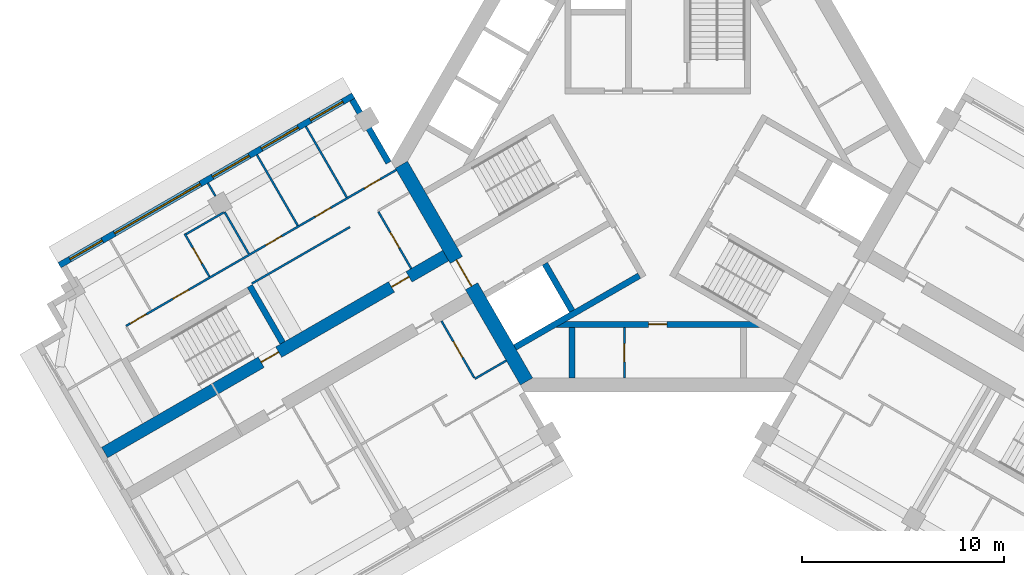
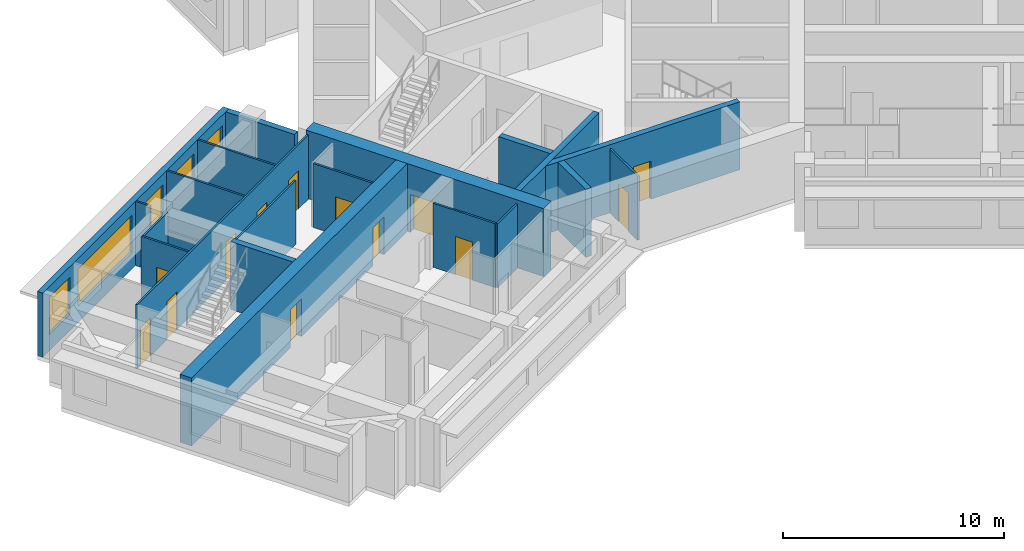
# One storey, part 3 of 10: 21 walls, 13 doors, 5 windows, 18 openings.
"""IFC4 building model written with IfcOpenShell, lengths in metres."""

import ifcopenshell
import ifcopenshell.guid

model = None  # the IFC model being written
_history = None  # IfcOwnerHistory: only IFC2X3 demands one
_inside = {}  # id of a spatial element -> (the spatial element, [elements in it])
_under = {}  # id of a project, library or spatial element -> (it, [spatial elements below it])
_declared = {}  # id of a project -> (the project, [libraries it declares])
_typed = {}  # id of a type object -> (the type object, [elements of that type])
_made_of = {}  # id of a material, layer set ... -> (it, [elements and type objects made of it])


def new_model(schema):
    """Start an empty IFC model of exactly this schema.

    Asked for "IFC4X3", IfcOpenShell would pick the latest addendum, in which some entities
    have other attributes; the version numbers below select the first issue.
    IFC2X3 requires an IfcOwnerHistory on every rooted entity: one is made here for all.
    """
    global model, _history
    if schema == "IFC4X3":
        model = ifcopenshell.file(schema_version=(4, 3, 0, 0))
    else:
        model = ifcopenshell.file(schema=schema)
    _inside.clear()
    _under.clear()
    _declared.clear()
    _typed.clear()
    _made_of.clear()
    _history = None
    if model.schema == "IFC2X3":
        org = make("IfcOrganization", Name="unknown")
        user = make(
            "IfcPersonAndOrganization",
            ThePerson=make("IfcPerson", FamilyName="unknown"),
            TheOrganization=org,
        )
        app = make(
            "IfcApplication",
            ApplicationDeveloper=org,
            Version="unknown",
            ApplicationFullName="unknown",
            ApplicationIdentifier="unknown",
        )
        _history = make(
            "IfcOwnerHistory",
            OwningUser=user,
            OwningApplication=app,
            ChangeAction="ADDED",
            CreationDate=0,
        )
    return model


def make(cls, **values):
    """One entity of the class cls with the attributes given. An attribute that is None is left unset."""
    return model.create_entity(
        cls, **{name: value for name, value in values.items() if value is not None}
    )


def rooted(cls, **values):
    """An entity with a GlobalId (a new one), such as an element, a storey or a relation."""
    return make(cls, GlobalId=ifcopenshell.guid.new(), OwnerHistory=_history, **values)


def si_unit(unit_type, name, prefix=None):
    """IfcSIUnit, for example si_unit("LENGTHUNIT", "METRE", prefix="MILLI")."""
    return make("IfcSIUnit", UnitType=unit_type, Prefix=prefix, Name=name)


def assignment(units):
    """IfcUnitAssignment: the units of a project."""
    return None if units is None else make("IfcUnitAssignment", Units=units)


def point(xyz):
    """IfcCartesianPoint."""
    return None if xyz is None else make("IfcCartesianPoint", Coordinates=xyz)


def direction(xyz):
    """IfcDirection."""
    return None if xyz is None else make("IfcDirection", DirectionRatios=xyz)


def frame(location, z_axis=None, x_axis=None):
    """IfcAxis2Placement3D, a coordinate frame: its origin and axes. An axis left out is left unset."""
    return make(
        "IfcAxis2Placement3D",
        Location=point(location),
        Axis=direction(z_axis),
        RefDirection=direction(x_axis),
    )


def frame_2d(location, x_axis=None):
    """IfcAxis2Placement2D, a coordinate frame in the plane: its origin and x axis."""
    return make(
        "IfcAxis2Placement2D", Location=point(location), RefDirection=direction(x_axis)
    )


def origin():
    """The frame at (0, 0, 0) with its axes left unset."""
    return frame((0.0, 0.0, 0.0))


def place(relative_to, where):
    """IfcLocalPlacement: puts the frame where relative to a parent placement (None: the world)."""
    return make(
        "IfcLocalPlacement", PlacementRelTo=relative_to, RelativePlacement=where
    )


def context(
    kind, dimensions, precision=None, world=None, true_north=None, identifier=None
):
    """IfcGeometricRepresentationContext, for example the 3D "Model" context."""
    return make(
        "IfcGeometricRepresentationContext",
        ContextIdentifier=identifier,
        ContextType=kind,
        CoordinateSpaceDimension=dimensions,
        Precision=precision,
        WorldCoordinateSystem=world,
        TrueNorth=true_north,
    )


def subcontext(parent, identifier, kind, view, scale=None):
    """IfcGeometricRepresentationSubContext, for example "Body" below "Model"."""
    return make(
        "IfcGeometricRepresentationSubContext",
        ContextIdentifier=identifier,
        ContextType=kind,
        ParentContext=parent,
        TargetScale=scale,
        TargetView=view,
    )


def project(units=None, contexts=None):
    """IfcProject with its units and contexts."""
    return rooted(
        "IfcProject",
        Name="project",
        RepresentationContexts=contexts,
        UnitsInContext=assignment(units),
    )


def spatial(cls, under=None, at=None, **own):
    """A site, building, storey or space (cls), placed at a placement, below another one or the project."""
    s = rooted(cls, ObjectPlacement=at, **own)
    if under is not None:
        _under.setdefault(under.id(), (under, []))[1].append(s)
    return s


def profile(cls, at=None, kind="AREA", **sizes):
    """A parametric profile (cls). Its sizes go by their IFC names, for example OverallWidth=200.0."""
    return make(cls, ProfileType=kind, Position=at, **sizes)


def rectangle(**sizes):
    """IfcRectangleProfileDef."""
    return profile("IfcRectangleProfileDef", **sizes)


def extrude(swept, where, along, depth):
    """IfcExtrudedAreaSolid: the profile swept, set in the frame where, extruded along a direction by depth."""
    return make(
        "IfcExtrudedAreaSolid",
        SweptArea=swept,
        Position=where,
        ExtrudedDirection=direction(along),
        Depth=depth,
    )


def shape(context_of_items, identifier, shape_type, items):
    """IfcShapeRepresentation: the items that make up one representation, for example the "Body"."""
    return make(
        "IfcShapeRepresentation",
        ContextOfItems=context_of_items,
        RepresentationIdentifier=identifier,
        RepresentationType=shape_type,
        Items=items,
    )


def material(Name=None, Category=None):
    """IfcMaterial."""
    return make("IfcMaterial", Name=Name, Category=Category)


def layer(
    of_material, thickness, ventilated=None, Name=None, Category=None, Priority=None
):
    """IfcMaterialLayer: one layer of a wall or slab, of a material (None: an air gap)."""
    return make(
        "IfcMaterialLayer",
        Material=of_material,
        LayerThickness=thickness,
        IsVentilated=ventilated,
        Name=Name,
        Category=Category,
        Priority=Priority,
    )


def layer_set(layers, Name=None):
    """IfcMaterialLayerSet."""
    return make("IfcMaterialLayerSet", MaterialLayers=layers, LayerSetName=Name)


def made_of(thing, what):
    """Note that an element or type object is made of a material, layer set ...; save() writes the relation."""
    if what is not None:
        _made_of.setdefault(what.id(), (what, []))[1].append(thing)
    return thing


def type_object(cls, material=None, **own):
    """A type object (cls), such as IfcWallType, which elements share."""
    return made_of(rooted(cls, **own), material)


def element(
    cls,
    number,
    at=None,
    inside=None,
    cuts=None,
    type_object=None,
    material=None,
    context=None,
    identifier="Body",
    shape_type=None,
    held_by="IfcProductDefinitionShape",
    body=None,
    shapes=None,
    **own,
):
    """One element of the class cls, such as IfcWall. Its Tag is "e" and its number.

    at: its placement. inside: the storey or other place that contains it. cuts: it is an
    opening in that element (IfcRelVoidsElement). A single representation is given by context,
    identifier, shape_type and body (its items); several are given by shapes. held_by: the class
    of the entity that holds the representations. save() writes the other relations.
    """
    e = rooted(cls, Tag="e%d" % number, ObjectPlacement=at, **own)
    if body is not None:
        shapes = [shape(context, identifier, shape_type, body)]
    if shapes is not None:
        e.Representation = make(held_by, Representations=shapes)
    if inside is not None:
        _inside.setdefault(inside.id(), (inside, []))[1].append(e)
    if cuts is not None:
        rooted(
            "IfcRelVoidsElement", RelatingBuildingElement=cuts, RelatedOpeningElement=e
        )
    if type_object is not None:
        _typed.setdefault(type_object.id(), (type_object, []))[1].append(e)
    return made_of(e, material)


def fill(opening, filler):
    """IfcRelFillsElement: the door or window that sits in an opening."""
    return rooted(
        "IfcRelFillsElement",
        RelatingOpeningElement=opening,
        RelatedBuildingElement=filler,
    )


def aggregate(whole, parts):
    """IfcRelAggregates: a whole, such as a stair, and the parts it consists of."""
    return rooted("IfcRelAggregates", RelatingObject=whole, RelatedObjects=parts)


def save(model, path):
    """Write the relations noted so far, then the file.

    IfcRelAggregates (storeys below a building ...), IfcRelContainedInSpatialStructure (elements
    in a storey), IfcRelDefinesByType, IfcRelAssociatesMaterial and IfcRelDeclares: one each for
    every whole, place, type object, material and project.
    """
    for whole, parts in _under.values():
        aggregate(whole, parts)
    for where, things in _inside.values():
        rooted(
            "IfcRelContainedInSpatialStructure",
            RelatedElements=things,
            RelatingStructure=where,
        )
    for kind, things in _typed.values():
        rooted("IfcRelDefinesByType", RelatedObjects=things, RelatingType=kind)
    for what, things in _made_of.values():
        rooted("IfcRelAssociatesMaterial", RelatedObjects=things, RelatingMaterial=what)
    for by, libraries in _declared.values():
        rooted("IfcRelDeclares", RelatingContext=by, RelatedDefinitions=libraries)
    model.write(path)


model = new_model("IFC4")

# Units and contexts
model_context = context("Model", 3, precision=1e-05, world=origin(), true_north=direction((0.0, 1.0)))
body_context = subcontext(model_context, "Body", "Model", "MODEL_VIEW")
ifc_project = project(units=[si_unit("LENGTHUNIT", "METRE"), si_unit("AREAUNIT", "SQUARE_METRE"), si_unit("VOLUMEUNIT", "CUBIC_METRE"), si_unit("PLANEANGLEUNIT", "RADIAN"), si_unit("MASSUNIT", "GRAM", prefix="KILO")], contexts=[model_context])

# Site, building, storey
site_placement = place(None, origin())
site = spatial("IfcSite", under=ifc_project, at=site_placement, CompositionType="ELEMENT")
building_placement = place(site_placement, origin())
building = spatial("IfcBuilding", under=site, at=building_placement, Name="Impinga Residences", CompositionType="ELEMENT")
storey_placement = place(building_placement, frame((0.0, 0.0, 222.25)))
storey = spatial("IfcBuildingStorey", under=building, at=storey_placement, Name="L55", CompositionType="ELEMENT", Elevation=222.25)

# Wall, openings, doors
ifc_material_1 = material(Name="Concrete C60/75", Category="concrete")
ifc_layer_1 = layer(ifc_material_1, 0.60009765625)
ifc_layer_set_1 = layer_set([ifc_layer_1], Name="Concrete C60/75")
wall_type_1 = type_object("IfcWallType", Name="BW3 corridor buttress wall, L46 to L73 600", PredefinedType="SHEAR", material=ifc_layer_set_1)
wall_1_placement = place(storey_placement, frame((-10.19677734375, -4.50146484375, 0.0), z_axis=(0.0, 0.0, 1.0), x_axis=(-0.866025214745, -0.500000327426, 0.0)))
wall_1 = element("IfcWall", 1, at=wall_1_placement, inside=storey, type_object=wall_type_1, Name="Corridor wall BW3 WD L55", PredefinedType="SHEAR", context=body_context, shape_type="SweptSolid", body=[
    extrude(rectangle(XDim=19.85009765625, YDim=0.60009765625, at=frame_2d((9.925048828125, 0.0))), origin(), (0.0, 0.0, 1.0), 3.75),
])
opening_1_placement = place(wall_1_placement, frame((9.89990234375, 0.0, 0.0)))
opening_1 = element("IfcOpeningElement", 2, at=opening_1_placement, cuts=wall_1, Name="Opening D5", PredefinedType="OPENING", context=body_context, shape_type="SweptSolid", body=[
    extrude(rectangle(XDim=1.0, YDim=2.10009765625, at=frame_2d((0.5, 1.050048828125))), frame((0.0, 0.31005859375, 0.0), z_axis=(0.0, -1.0, 0.0), x_axis=(1.0, 0.0, 0.0)), (0.0, 0.0, 1.0), 0.6201171875),
])
opening_2_placement = place(wall_1_placement, frame((2.449951171875, 0.0, 0.0)))
opening_2 = element("IfcOpeningElement", 3, at=opening_2_placement, cuts=wall_1, Name="Opening D1", PredefinedType="OPENING", context=body_context, shape_type="SweptSolid", body=[
    extrude(rectangle(XDim=1.0, YDim=2.10009765625, at=frame_2d((0.5, 1.050048828125))), frame((0.0, 0.31005859375, 0.0), z_axis=(0.0, -1.0, 0.0), x_axis=(1.0, 0.0, 0.0)), (0.0, 0.0, 1.0), 0.6201171875),
])
ifc_material_2 = material(Name="Timber door set", Category="wood")
door_type_1 = type_object("IfcDoorType", Name="D1 apartment entrance door 1000x2100", OperationType="SINGLE_SWING_LEFT", PredefinedType="DOOR", material=ifc_material_2)
door_1_placement = place(opening_2_placement, origin())
door_1 = element("IfcDoor", 4, at=door_1_placement, inside=storey, type_object=door_type_1, Name="Apartment L55-WF1 entrance", OperationType="SINGLE_SWING_LEFT", OverallHeight=2.10009765625, OverallWidth=1.0, PredefinedType="DOOR", context=body_context, shape_type="SweptSolid", body=[
    extrude(rectangle(XDim=1.0, YDim=2.10009765625, at=frame_2d((0.5, 1.050048828125))), frame((0.0, 0.02490234375, 0.0), z_axis=(0.0, -1.0, 0.0), x_axis=(1.0, 0.0, 0.0)), (0.0, 0.0, 1.0), 0.050048828125),
])
fill(opening_2, door_1)
door_type_2 = type_object("IfcDoorType", Name="D5 stair door 1000x2100", OperationType="SINGLE_SWING_LEFT", PredefinedType="DOOR", material=ifc_material_2)
door_2_placement = place(opening_1_placement, origin())
door_2 = element("IfcDoor", 5, at=door_2_placement, inside=storey, type_object=door_type_2, Name="Wing stair door W", OperationType="SINGLE_SWING_RIGHT", OverallHeight=2.10009765625, OverallWidth=1.0, PredefinedType="DOOR", context=body_context, shape_type="SweptSolid", body=[
    extrude(rectangle(XDim=1.0, YDim=2.10009765625, at=frame_2d((0.5, 1.050048828125))), frame((0.0, 0.02490234375, 0.0), z_axis=(0.0, -1.0, 0.0), x_axis=(1.0, 0.0, 0.0)), (0.0, 0.0, 1.0), 0.050048828125),
])
fill(opening_1, door_2)

# Wall, opening, door
ifc_material_3 = material(Name="Concrete blockwork", Category="masonry")
ifc_layer_2 = layer(ifc_material_3, 0.10009765625)
ifc_layer_set_2 = layer_set([ifc_layer_2], Name="CP1 core room partition, blockwork 100")
wall_type_2 = type_object("IfcWallType", Name="CP1 core room partition, blockwork 100", PredefinedType="PARTITIONING", material=ifc_layer_set_2)
wall_2_placement = place(storey_placement, frame((-1.64990234375, -8.2314453125, 0.0), z_axis=(0.0, 0.0, 1.0), x_axis=(0.0, -1.0, 0.0)))
wall_2 = element("IfcWall", 6, at=wall_2_placement, inside=storey, type_object=wall_type_2, Name="Core room partition, blockwork L55:CORE:low:ZP1", PredefinedType="PARTITIONING", context=body_context, shape_type="SweptSolid", body=[
    extrude(rectangle(XDim=2.5, YDim=0.10009765625, at=frame_2d((1.25, 0.0))), origin(), (0.0, 0.0, 1.0), 3.530029296875),
])
opening_3_placement = place(wall_2_placement, frame((0.800048828125, 0.0, 0.0)))
opening_3 = element("IfcOpeningElement", 7, at=opening_3_placement, cuts=wall_2, Name="Opening D6", PredefinedType="OPENING", context=body_context, shape_type="SweptSolid", body=[
    extrude(rectangle(XDim=0.89990234375, YDim=2.10009765625, at=frame_2d((0.449951171875, 1.050048828125))), frame((0.0, 0.06005859375, 0.0), z_axis=(0.0, -1.0, 0.0), x_axis=(1.0, 0.0, 0.0)), (0.0, 0.0, 1.0), 0.1201171875),
])
door_type_3 = type_object("IfcDoorType", Name="D6 riser and store door 900x2100", OperationType="SINGLE_SWING_LEFT", PredefinedType="DOOR", material=ifc_material_2)
door_3_placement = place(opening_3_placement, origin())
door_3 = element("IfcDoor", 8, at=door_3_placement, inside=storey, type_object=door_type_3, Name="Residents' storage lockers door", OperationType="SINGLE_SWING_LEFT", OverallHeight=2.10009765625, OverallWidth=0.89990234375, PredefinedType="DOOR", context=body_context, shape_type="SweptSolid", body=[
    extrude(rectangle(XDim=0.89990234375, YDim=2.10009765625, at=frame_2d((0.449951171875, 1.050048828125))), frame((0.0, 0.02490234375, 0.0), z_axis=(0.0, -1.0, 0.0), x_axis=(1.0, 0.0, 0.0)), (0.0, 0.0, 1.0), 0.050048828125),
])
fill(opening_3, door_3)

# Wall, openings, windows
ifc_material_4 = material(Name="Terracotta rainscreen on blockwork", Category="masonry")
ifc_layer_3 = layer(ifc_material_4, 0.300048828125)
ifc_layer_set_3 = layer_set([ifc_layer_3], Name="EW1 external wall, terracotta rainscreen on blockwork 300")
wall_type_3 = type_object("IfcWallType", Name="EW1 external wall, terracotta rainscreen on blockwork 300", PredefinedType="SOLIDWALL", material=ifc_layer_set_3)
wall_3_placement = place(storey_placement, frame((-29.624267578125, -5.15234375, 0.0), z_axis=(0.0, 0.0, 1.0), x_axis=(0.86602925447, 0.499993330357, 0.0)))
wall_3 = element("IfcWall", 9, at=wall_3_placement, inside=storey, type_object=wall_type_3, Name="External wall EW1 L55", PredefinedType="SOLIDWALL", context=body_context, shape_type="SweptSolid", body=[
    extrude(rectangle(XDim=16.800048828125, YDim=0.300048828125, at=frame_2d((8.39990234375, 0.0))), origin(), (0.0, 0.0, 1.0), 3.530029296875),
])
opening_4_placement = place(wall_3_placement, frame((0.60009765625, 0.0, 0.89990234375)))
opening_4 = element("IfcOpeningElement", 10, at=opening_4_placement, cuts=wall_3, Name="Opening W15", PredefinedType="OPENING", context=body_context, shape_type="SweptSolid", body=[
    extrude(rectangle(XDim=1.85009765625, YDim=2.050048828125, at=frame_2d((0.925048828125, 1.02490234375))), frame((0.0, 0.159912109375, 0.0), z_axis=(0.0, -1.0, 0.0), x_axis=(1.0, 0.0, 0.0)), (0.0, 0.0, 1.0), 0.320068359375),
])
opening_5_placement = place(wall_3_placement, frame((3.14990234375, 0.0, 0.89990234375)))
opening_5 = element("IfcOpeningElement", 11, at=opening_5_placement, cuts=wall_3, Name="Opening W16", PredefinedType="OPENING", context=body_context, shape_type="SweptSolid", body=[
    extrude(rectangle(XDim=4.89990234375, YDim=2.050048828125, at=frame_2d((2.449951171875, 1.02490234375))), frame((0.0, 0.159912109375, 0.0), z_axis=(0.0, -1.0, 0.0), x_axis=(1.0, 0.0, 0.0)), (0.0, 0.0, 1.0), 0.320068359375),
])
opening_6_placement = place(wall_3_placement, frame((8.75, 0.0, 0.89990234375)))
opening_6 = element("IfcOpeningElement", 12, at=opening_6_placement, cuts=wall_3, Name="Opening W9", PredefinedType="OPENING", context=body_context, shape_type="SweptSolid", body=[
    extrude(rectangle(XDim=2.10009765625, YDim=2.050048828125, at=frame_2d((1.050048828125, 1.02490234375))), frame((0.0, 0.159912109375, 0.0), z_axis=(0.0, -1.0, 0.0), x_axis=(1.0, 0.0, 0.0)), (0.0, 0.0, 1.0), 0.320068359375),
])
opening_7_placement = place(wall_3_placement, frame((11.550048828125, 0.0, 0.89990234375)))
opening_7 = element("IfcOpeningElement", 13, at=opening_7_placement, cuts=wall_3, Name="Opening W9", PredefinedType="OPENING", context=body_context, shape_type="SweptSolid", body=[
    extrude(rectangle(XDim=2.10009765625, YDim=2.050048828125, at=frame_2d((1.050048828125, 1.02490234375))), frame((0.0, 0.159912109375, 0.0), z_axis=(0.0, -1.0, 0.0), x_axis=(1.0, 0.0, 0.0)), (0.0, 0.0, 1.0), 0.320068359375),
])
opening_8_placement = place(wall_3_placement, frame((14.35009765625, 0.0, 0.89990234375)))
opening_8 = element("IfcOpeningElement", 14, at=opening_8_placement, cuts=wall_3, Name="Opening W15", PredefinedType="OPENING", context=body_context, shape_type="SweptSolid", body=[
    extrude(rectangle(XDim=1.85009765625, YDim=2.050048828125, at=frame_2d((0.925048828125, 1.02490234375))), frame((0.0, 0.159912109375, 0.0), z_axis=(0.0, -1.0, 0.0), x_axis=(1.0, 0.0, 0.0)), (0.0, 0.0, 1.0), 0.320068359375),
])
ifc_material_5 = material(Name="Aluminium window, clear double glazing", Category="aluminium")
window_type_1 = type_object("IfcWindowType", Name="W15 ribbon window 1850x2050", PartitioningType="SINGLE_PANEL", PredefinedType="WINDOW", material=ifc_material_5)
window_1_placement = place(opening_4_placement, origin())
window_1 = element("IfcWindow", 15, at=window_1_placement, inside=storey, type_object=window_type_1, Name="Window L55", OverallHeight=2.050048828125, OverallWidth=1.85009765625, PartitioningType="SINGLE_PANEL", PredefinedType="WINDOW", context=body_context, shape_type="SweptSolid", body=[
    extrude(rectangle(XDim=1.85009765625, YDim=2.050048828125, at=frame_2d((0.925048828125, 1.02490234375))), frame((0.0, 0.030029296875, 0.0), z_axis=(0.0, -1.0, 0.0), x_axis=(1.0, 0.0, 0.0)), (0.0, 0.0, 1.0), 0.06005859375),
])
fill(opening_4, window_1)
window_2_placement = place(opening_8_placement, origin())
window_2 = element("IfcWindow", 16, at=window_2_placement, inside=storey, type_object=window_type_1, Name="Window L55", OverallHeight=2.050048828125, OverallWidth=1.85009765625, PartitioningType="SINGLE_PANEL", PredefinedType="WINDOW", context=body_context, shape_type="SweptSolid", body=[
    extrude(rectangle(XDim=1.85009765625, YDim=2.050048828125, at=frame_2d((0.925048828125, 1.02490234375))), frame((0.0, 0.030029296875, 0.0), z_axis=(0.0, -1.0, 0.0), x_axis=(1.0, 0.0, 0.0)), (0.0, 0.0, 1.0), 0.06005859375),
])
fill(opening_8, window_2)
window_type_2 = type_object("IfcWindowType", Name="W16 ribbon window 4900x2050", PartitioningType="SINGLE_PANEL", PredefinedType="WINDOW", material=ifc_material_5)
window_3_placement = place(opening_5_placement, origin())
window_3 = element("IfcWindow", 17, at=window_3_placement, inside=storey, type_object=window_type_2, Name="Window L55", OverallHeight=2.050048828125, OverallWidth=4.89990234375, PartitioningType="SINGLE_PANEL", PredefinedType="WINDOW", context=body_context, shape_type="SweptSolid", body=[
    extrude(rectangle(XDim=4.89990234375, YDim=2.050048828125, at=frame_2d((2.449951171875, 1.02490234375))), frame((0.0, 0.030029296875, 0.0), z_axis=(0.0, -1.0, 0.0), x_axis=(1.0, 0.0, 0.0)), (0.0, 0.0, 1.0), 0.06005859375),
])
fill(opening_5, window_3)
window_type_3 = type_object("IfcWindowType", Name="W9 ribbon window 2100x2050", PartitioningType="SINGLE_PANEL", PredefinedType="WINDOW", material=ifc_material_5)
window_4_placement = place(opening_6_placement, origin())
window_4 = element("IfcWindow", 18, at=window_4_placement, inside=storey, type_object=window_type_3, Name="Window L55", OverallHeight=2.050048828125, OverallWidth=2.10009765625, PartitioningType="SINGLE_PANEL", PredefinedType="WINDOW", context=body_context, shape_type="SweptSolid", body=[
    extrude(rectangle(XDim=2.10009765625, YDim=2.050048828125, at=frame_2d((1.050048828125, 1.02490234375))), frame((0.0, 0.030029296875, 0.0), z_axis=(0.0, -1.0, 0.0), x_axis=(1.0, 0.0, 0.0)), (0.0, 0.0, 1.0), 0.06005859375),
])
fill(opening_6, window_4)
window_5_placement = place(opening_7_placement, origin())
window_5 = element("IfcWindow", 19, at=window_5_placement, inside=storey, type_object=window_type_3, Name="Window L55", OverallHeight=2.050048828125, OverallWidth=2.10009765625, PartitioningType="SINGLE_PANEL", PredefinedType="WINDOW", context=body_context, shape_type="SweptSolid", body=[
    extrude(rectangle(XDim=2.10009765625, YDim=2.050048828125, at=frame_2d((1.050048828125, 1.02490234375))), frame((0.0, 0.030029296875, 0.0), z_axis=(0.0, -1.0, 0.0), x_axis=(1.0, 0.0, 0.0)), (0.0, 0.0, 1.0), 0.06005859375),
])
fill(opening_7, window_5)

# Walls
wall_4_placement = place(storey_placement, frame((-15.1298828125, 3.042724609375, 0.0), z_axis=(0.0, 0.0, 1.0), x_axis=(0.500012057535, -0.866018442252, 0.0)))
element("IfcWall", 20, at=wall_4_placement, inside=storey, type_object=wall_type_3, Name="External wall EW1 L55", PredefinedType="SOLIDWALL", context=body_context, shape_type="SweptSolid", body=[
    extrude(rectangle(XDim=3.60009765625, YDim=0.300048828125, at=frame_2d((1.800048828125, 0.0))), origin(), (0.0, 0.0, 1.0), 3.530029296875),
])
ifc_material_6 = material(Name="Gypsum board on steel studs", Category="steel")
ifc_layer_4 = layer(ifc_material_6, 0.10009765625)
ifc_layer_set_4 = layer_set([ifc_layer_4], Name="Gypsum board on steel studs")
wall_type_4 = type_object("IfcWallType", Name="IP1 partition 100", PredefinedType="PARTITIONING", material=ifc_layer_set_4)
wall_5_placement = place(storey_placement, frame((-7.5, -9.872802734375, 0.0), z_axis=(0.0, 0.0, 1.0), x_axis=(-0.866047807691, -0.499961193289, 0.0)))
element("IfcWall", 21, at=wall_5_placement, inside=storey, type_object=wall_type_4, Name="Partition L55-WA1:DIV0", PredefinedType="PARTITIONING", context=body_context, shape_type="SweptSolid", body=[
    extrude(rectangle(XDim=1.800048828125, YDim=0.10009765625, at=frame_2d((0.89990234375, 0.0))), origin(), (0.0, 0.0, 1.0), 3.530029296875),
])

# Wall, opening, door
wall_6_placement = place(storey_placement, frame((-10.708740234375, -7.914794921875, 0.0), z_axis=(0.0, 0.0, 1.0), x_axis=(0.499984717929, -0.866034226713, 0.0)))
wall_6 = element("IfcWall", 22, at=wall_6_placement, inside=storey, type_object=wall_type_4, Name="Partition L55-WA1:IB1", PredefinedType="PARTITIONING", context=body_context, shape_type="SweptSolid", body=[
    extrude(rectangle(XDim=3.25, YDim=0.10009765625, at=frame_2d((1.625, 0.0))), origin(), (0.0, 0.0, 1.0), 3.530029296875),
])
opening_9_placement = place(wall_6_placement, frame((1.175048828125, 0.0, 0.0)))
opening_9 = element("IfcOpeningElement", 23, at=opening_9_placement, cuts=wall_6, Name="Opening D2", PredefinedType="OPENING", context=body_context, shape_type="SweptSolid", body=[
    extrude(rectangle(XDim=0.89990234375, YDim=2.10009765625, at=frame_2d((0.449951171875, 1.050048828125))), frame((0.0, 0.06005859375, 0.0), z_axis=(0.0, -1.0, 0.0), x_axis=(1.0, 0.0, 0.0)), (0.0, 0.0, 1.0), 0.1201171875),
])
door_type_4 = type_object("IfcDoorType", Name="D2 internal door 900x2100", OperationType="SINGLE_SWING_LEFT", PredefinedType="DOOR", material=ifc_material_2)
door_4_placement = place(opening_9_placement, origin())
door_4 = element("IfcDoor", 24, at=door_4_placement, inside=storey, type_object=door_type_4, Name="Apartment L55-WA1 bathroom door", OperationType="SINGLE_SWING_LEFT", OverallHeight=2.10009765625, OverallWidth=0.89990234375, PredefinedType="DOOR", context=body_context, shape_type="SweptSolid", body=[
    extrude(rectangle(XDim=0.89990234375, YDim=2.10009765625, at=frame_2d((0.449951171875, 1.050048828125))), frame((0.0, 0.02490234375, 0.0), z_axis=(0.0, -1.0, 0.0), x_axis=(1.0, 0.0, 0.0)), (0.0, 0.0, 1.0), 0.050048828125),
])
fill(opening_9, door_4)

# Wall
wall_7_placement = place(storey_placement, frame((-15.244384765625, -3.2587890625, 0.0), z_axis=(0.0, 0.0, 1.0), x_axis=(-0.866026594901, -0.49999793692, 0.0)))
element("IfcWall", 25, at=wall_7_placement, inside=storey, type_object=wall_type_4, Name="Partition L55-WF1:DIV1", PredefinedType="PARTITIONING", context=body_context, shape_type="SweptSolid", body=[
    extrude(rectangle(XDim=5.60009765625, YDim=0.10009765625, at=frame_2d((2.800048828125, 0.0))), origin(), (0.0, 0.0, 1.0), 3.530029296875),
])

# Wall, openings, doors
wall_8_placement = place(storey_placement, frame((-12.949951171875, -0.43310546875, 0.0), z_axis=(0.0, 0.0, 1.0), x_axis=(-0.866030066916, -0.499991923133, 0.0)))
wall_8 = element("IfcWall", 26, at=wall_8_placement, inside=storey, type_object=wall_type_4, Name="Partition L55-WF1:STRIP", PredefinedType="PARTITIONING", context=body_context, shape_type="SweptSolid", body=[
    extrude(rectangle(XDim=15.449951171875, YDim=0.10009765625, at=frame_2d((7.72509765625, 0.0))), origin(), (0.0, 0.0, 1.0), 3.530029296875),
])
opening_10_placement = place(wall_8_placement, frame((0.925048828125, 0.0, 0.0)))
opening_10 = element("IfcOpeningElement", 27, at=opening_10_placement, cuts=wall_8, Name="Opening D2", PredefinedType="OPENING", context=body_context, shape_type="SweptSolid", body=[
    extrude(rectangle(XDim=0.89990234375, YDim=2.10009765625, at=frame_2d((0.449951171875, 1.050048828125))), frame((0.0, 0.06005859375, 0.0), z_axis=(0.0, -1.0, 0.0), x_axis=(1.0, 0.0, 0.0)), (0.0, 0.0, 1.0), 0.1201171875),
])
opening_11_placement = place(wall_8_placement, frame((3.75, 0.0, 0.0)))
opening_11 = element("IfcOpeningElement", 28, at=opening_11_placement, cuts=wall_8, Name="Opening D2", PredefinedType="OPENING", context=body_context, shape_type="SweptSolid", body=[
    extrude(rectangle(XDim=0.89990234375, YDim=2.10009765625, at=frame_2d((0.449951171875, 1.050048828125))), frame((0.0, 0.06005859375, 0.0), z_axis=(0.0, -1.0, 0.0), x_axis=(1.0, 0.0, 0.0)), (0.0, 0.0, 1.0), 0.1201171875),
])
opening_12_placement = place(wall_8_placement, frame((6.550048828125, 0.0, 0.0)))
opening_12 = element("IfcOpeningElement", 29, at=opening_12_placement, cuts=wall_8, Name="Opening D2", PredefinedType="OPENING", context=body_context, shape_type="SweptSolid", body=[
    extrude(rectangle(XDim=0.89990234375, YDim=2.10009765625, at=frame_2d((0.449951171875, 1.050048828125))), frame((0.0, 0.06005859375, 0.0), z_axis=(0.0, -1.0, 0.0), x_axis=(1.0, 0.0, 0.0)), (0.0, 0.0, 1.0), 0.1201171875),
])
opening_13_placement = place(wall_8_placement, frame((11.875, 0.0, 0.0)))
opening_13 = element("IfcOpeningElement", 30, at=opening_13_placement, cuts=wall_8, Name="Opening D2", PredefinedType="OPENING", context=body_context, shape_type="SweptSolid", body=[
    extrude(rectangle(XDim=0.89990234375, YDim=2.10009765625, at=frame_2d((0.449951171875, 1.050048828125))), frame((0.0, 0.06005859375, 0.0), z_axis=(0.0, -1.0, 0.0), x_axis=(1.0, 0.0, 0.0)), (0.0, 0.0, 1.0), 0.1201171875),
])
opening_14_placement = place(wall_8_placement, frame((14.300048828125, 0.0, 0.0)))
opening_14 = element("IfcOpeningElement", 31, at=opening_14_placement, cuts=wall_8, Name="Opening D2", PredefinedType="OPENING", context=body_context, shape_type="SweptSolid", body=[
    extrude(rectangle(XDim=0.89990234375, YDim=2.10009765625, at=frame_2d((0.449951171875, 1.050048828125))), frame((0.0, 0.06005859375, 0.0), z_axis=(0.0, -1.0, 0.0), x_axis=(1.0, 0.0, 0.0)), (0.0, 0.0, 1.0), 0.1201171875),
])
door_5_placement = place(opening_10_placement, origin())
door_5 = element("IfcDoor", 32, at=door_5_placement, inside=storey, type_object=door_type_4, Name="Apartment L55-WF1 room door", OperationType="SINGLE_SWING_LEFT", OverallHeight=2.10009765625, OverallWidth=0.89990234375, PredefinedType="DOOR", context=body_context, shape_type="SweptSolid", body=[
    extrude(rectangle(XDim=0.89990234375, YDim=2.10009765625, at=frame_2d((0.449951171875, 1.050048828125))), frame((0.0, 0.02490234375, 0.0), z_axis=(0.0, -1.0, 0.0), x_axis=(1.0, 0.0, 0.0)), (0.0, 0.0, 1.0), 0.050048828125),
])
fill(opening_10, door_5)
door_6_placement = place(opening_11_placement, origin())
door_6 = element("IfcDoor", 33, at=door_6_placement, inside=storey, type_object=door_type_4, Name="Apartment L55-WF1 room door", OperationType="SINGLE_SWING_LEFT", OverallHeight=2.10009765625, OverallWidth=0.89990234375, PredefinedType="DOOR", context=body_context, shape_type="SweptSolid", body=[
    extrude(rectangle(XDim=0.89990234375, YDim=2.10009765625, at=frame_2d((0.449951171875, 1.050048828125))), frame((0.0, 0.02490234375, 0.0), z_axis=(0.0, -1.0, 0.0), x_axis=(1.0, 0.0, 0.0)), (0.0, 0.0, 1.0), 0.050048828125),
])
fill(opening_11, door_6)
door_7_placement = place(opening_12_placement, origin())
door_7 = element("IfcDoor", 34, at=door_7_placement, inside=storey, type_object=door_type_4, Name="Apartment L55-WF1 room door", OperationType="SINGLE_SWING_LEFT", OverallHeight=2.10009765625, OverallWidth=0.89990234375, PredefinedType="DOOR", context=body_context, shape_type="SweptSolid", body=[
    extrude(rectangle(XDim=0.89990234375, YDim=2.10009765625, at=frame_2d((0.449951171875, 1.050048828125))), frame((0.0, 0.02490234375, 0.0), z_axis=(0.0, -1.0, 0.0), x_axis=(1.0, 0.0, 0.0)), (0.0, 0.0, 1.0), 0.050048828125),
])
fill(opening_12, door_7)
door_8_placement = place(opening_13_placement, origin())
door_8 = element("IfcDoor", 35, at=door_8_placement, inside=storey, type_object=door_type_4, Name="Apartment L55-WF1 room door", OperationType="SINGLE_SWING_RIGHT", OverallHeight=2.10009765625, OverallWidth=0.89990234375, PredefinedType="DOOR", context=body_context, shape_type="SweptSolid", body=[
    extrude(rectangle(XDim=0.89990234375, YDim=2.10009765625, at=frame_2d((0.449951171875, 1.050048828125))), frame((0.0, 0.02490234375, 0.0), z_axis=(0.0, -1.0, 0.0), x_axis=(1.0, 0.0, 0.0)), (0.0, 0.0, 1.0), 0.050048828125),
])
fill(opening_13, door_8)
door_9_placement = place(opening_14_placement, origin())
door_9 = element("IfcDoor", 36, at=door_9_placement, inside=storey, type_object=door_type_4, Name="Apartment L55-WF1 room door", OperationType="SINGLE_SWING_RIGHT", OverallHeight=2.10009765625, OverallWidth=0.89990234375, PredefinedType="DOOR", context=body_context, shape_type="SweptSolid", body=[
    extrude(rectangle(XDim=0.89990234375, YDim=2.10009765625, at=frame_2d((0.449951171875, 1.050048828125))), frame((0.0, 0.02490234375, 0.0), z_axis=(0.0, -1.0, 0.0), x_axis=(1.0, 0.0, 0.0)), (0.0, 0.0, 1.0), 0.050048828125),
])
fill(opening_14, door_9)

# Wall, opening, door
wall_9_placement = place(storey_placement, frame((-12.208740234375, -5.316650390625, 0.0), z_axis=(0.0, 0.0, 1.0), x_axis=(-0.500017246033, 0.866015446554, 0.0)))
wall_9 = element("IfcWall", 37, at=wall_9_placement, inside=storey, type_object=wall_type_4, Name="Partition L55-WF1:IB1", PredefinedType="PARTITIONING", context=body_context, shape_type="SweptSolid", body=[
    extrude(rectangle(XDim=3.25, YDim=0.10009765625, at=frame_2d((1.625, 0.0))), origin(), (0.0, 0.0, 1.0), 3.530029296875),
])
opening_15_placement = place(wall_9_placement, frame((1.175048828125, 0.0, 0.0)))
opening_15 = element("IfcOpeningElement", 38, at=opening_15_placement, cuts=wall_9, Name="Opening D2", PredefinedType="OPENING", context=body_context, shape_type="SweptSolid", body=[
    extrude(rectangle(XDim=0.89990234375, YDim=2.10009765625, at=frame_2d((0.449951171875, 1.050048828125))), frame((0.0, 0.06005859375, 0.0), z_axis=(0.0, -1.0, 0.0), x_axis=(1.0, 0.0, 0.0)), (0.0, 0.0, 1.0), 0.1201171875),
])
door_10_placement = place(opening_15_placement, origin())
door_10 = element("IfcDoor", 39, at=door_10_placement, inside=storey, type_object=door_type_4, Name="Apartment L55-WF1 bathroom door", OperationType="SINGLE_SWING_LEFT", OverallHeight=2.10009765625, OverallWidth=0.89990234375, PredefinedType="DOOR", context=body_context, shape_type="SweptSolid", body=[
    extrude(rectangle(XDim=0.89990234375, YDim=2.10009765625, at=frame_2d((0.449951171875, 1.050048828125))), frame((0.0, 0.02490234375, 0.0), z_axis=(0.0, -1.0, 0.0), x_axis=(1.0, 0.0, 0.0)), (0.0, 0.0, 1.0), 0.050048828125),
])
fill(opening_15, door_10)

# Walls
for number, where, z_axis, x_axis, name in (
    (40, (-15.39990234375, -1.789794921875, 0.0), (0.0, 0.0, 1.0), (-0.499964223975, 0.866046058097, 0.0), "Partition L55-WF1:OB1"),
    (41, (-17.82470703125, -3.189697265625, 0.0), (0.0, 0.0, 1.0), (-0.500035537042, 0.866004885491, 0.0), "Partition L55-WF1:OB2"),
):
    element("IfcWall", number, at=place(storey_placement, frame(where, z_axis=z_axis, x_axis=x_axis)), inside=storey, type_object=wall_type_4, Name=name, PredefinedType="PARTITIONING", context=body_context, shape_type="SweptSolid", body=[
        extrude(rectangle(XDim=4.050048828125, YDim=0.10009765625, at=frame_2d((2.02490234375, 0.0))), origin(), (0.0, 0.0, 1.0), 3.530029296875),
    ])
wall_10_placement = place(storey_placement, frame((-20.24951171875, -4.589599609375, 0.0), z_axis=(0.0, 0.0, 1.0), x_axis=(-0.500077600433, 0.865980596518, 0.0)))
element("IfcWall", 42, at=wall_10_placement, inside=storey, type_object=wall_type_4, Name="Partition L55-WF1:OB3", PredefinedType="PARTITIONING", context=body_context, shape_type="SweptSolid", body=[
    extrude(rectangle(XDim=2.39990234375, YDim=0.10009765625, at=frame_2d((1.199951171875, 0.0))), origin(), (0.0, 0.0, 1.0), 2.47998046875),
])
wall_11_placement = place(storey_placement, frame((-21.899658203125, -1.73193359375, 0.0), z_axis=(0.0, 0.0, 1.0), x_axis=(-0.499919672301, 0.866071776036, 0.0)))
element("IfcWall", 43, at=wall_11_placement, inside=storey, type_object=wall_type_4, Name="Partition L55-WF1:OB3b", PredefinedType="PARTITIONING", context=body_context, shape_type="SweptSolid", body=[
    extrude(rectangle(XDim=0.75, YDim=0.10009765625, at=frame_2d((0.375, 0.0))), origin(), (0.0, 0.0, 1.0), 3.530029296875),
])

# Wall, opening, door
wall_12_placement = place(storey_placement, frame((-22.1982421875, -5.714599609375, 0.0), z_axis=(0.0, 0.0, 1.0), x_axis=(-0.499987006516, 0.866032905446, 0.0)))
wall_12 = element("IfcWall", 44, at=wall_12_placement, inside=storey, type_object=wall_type_4, Name="Partition L55-WF1:EN1", PredefinedType="PARTITIONING", context=body_context, shape_type="SweptSolid", body=[
    extrude(rectangle(XDim=2.44970703125, YDim=0.10009765625, at=frame_2d((1.224853515625, 0.0))), origin(), (0.0, 0.0, 1.0), 3.530029296875),
])
opening_16_placement = place(wall_12_placement, frame((0.75, 0.0, 0.0)))
opening_16 = element("IfcOpeningElement", 45, at=opening_16_placement, cuts=wall_12, Name="Opening D2", PredefinedType="OPENING", context=body_context, shape_type="SweptSolid", body=[
    extrude(rectangle(XDim=0.89990234375, YDim=2.10009765625, at=frame_2d((0.449951171875, 1.050048828125))), frame((0.0, 0.06005859375, 0.0), z_axis=(0.0, -1.0, 0.0), x_axis=(1.0, 0.0, 0.0)), (0.0, 0.0, 1.0), 0.1201171875),
])
door_11_placement = place(opening_16_placement, origin())
door_11 = element("IfcDoor", 46, at=door_11_placement, inside=storey, type_object=door_type_4, Name="Apartment L55-WF1 en-suite door", OperationType="SINGLE_SWING_LEFT", OverallHeight=2.10009765625, OverallWidth=0.89990234375, PredefinedType="DOOR", context=body_context, shape_type="SweptSolid", body=[
    extrude(rectangle(XDim=0.89990234375, YDim=2.10009765625, at=frame_2d((0.449951171875, 1.050048828125))), frame((0.0, 0.02490234375, 0.0), z_axis=(0.0, -1.0, 0.0), x_axis=(1.0, 0.0, 0.0)), (0.0, 0.0, 1.0), 0.050048828125),
])
fill(opening_16, door_11)

# Walls
wall_13_placement = place(storey_placement, frame((-21.492919921875, -2.5361328125, 0.0), z_axis=(0.0, 0.0, 1.0), x_axis=(-0.865998386012, -0.500046793234, 0.0)))
element("IfcWall", 47, at=wall_13_placement, inside=storey, type_object=wall_type_4, Name="Partition L55-WF1:EN2", PredefinedType="PARTITIONING", context=body_context, shape_type="SweptSolid", body=[
    extrude(rectangle(XDim=2.150146484375, YDim=0.10009765625, at=frame_2d((1.0751953125, 0.0))), origin(), (0.0, 0.0, 1.0), 3.530029296875),
])
ifc_layer_5 = layer(ifc_material_1, 0.300048828125)
ifc_layer_set_5 = layer_set([ifc_layer_5], Name="Concrete C60/75")
wall_type_5 = type_object("IfcWallType", Name="SE1 wing stair enclosure wall 300", PredefinedType="SOLIDWALL", material=ifc_layer_set_5)
wall_14_placement = place(storey_placement, frame((-18.57421875, -8.99169921875, 0.0), z_axis=(0.0, 0.0, 1.0), x_axis=(-0.500017246033, 0.866015446554, 0.0)))
element("IfcWall", 48, at=wall_14_placement, inside=storey, type_object=wall_type_5, Name="Stair enclosure wall SE1 W END0 L55", PredefinedType="SOLIDWALL", context=body_context, shape_type="SweptSolid", body=[
    extrude(rectangle(XDim=3.25, YDim=0.300048828125, at=frame_2d((1.625, 0.0))), origin(), (0.0, 0.0, 1.0), 3.75),
])

# Wall, opening, door
ifc_layer_6 = layer(ifc_material_1, 0.699951171875)
ifc_layer_set_6 = layer_set([ifc_layer_6], Name="Concrete C60/75")
wall_type_6 = type_object("IfcWallType", Name="SW3 core wall 700", PredefinedType="SHEAR", material=ifc_layer_set_6)
wall_15_placement = place(storey_placement, frame((-6.4990234375, -10.906494140625, 0.0), z_axis=(0.0, 0.0, 1.0), x_axis=(-0.499999875397, 0.866025475724, 0.0)))
wall_15 = element("IfcWall", 49, at=wall_15_placement, inside=storey, type_object=wall_type_6, Name="Core wall SW3 W:FACE L55", PredefinedType="SHEAR", context=body_context, shape_type="SweptSolid", body=[
    extrude(rectangle(XDim=12.3916015625, YDim=0.699951171875, at=frame_2d((6.19580078125, 0.0))), origin(), (0.0, 0.0, 1.0), 3.75),
])
opening_17_placement = place(wall_15_placement, frame((5.44580078125, 0.0, 0.0)))
opening_17 = element("IfcOpeningElement", 50, at=opening_17_placement, cuts=wall_15, Name="Opening D4", PredefinedType="OPENING", context=body_context, shape_type="SweptSolid", body=[
    extrude(rectangle(XDim=1.5, YDim=2.10009765625, at=frame_2d((0.75, 1.050048828125))), frame((0.0, 0.35986328125, 0.0), z_axis=(0.0, -1.0, 0.0), x_axis=(1.0, 0.0, 0.0)), (0.0, 0.0, 1.0), 0.719970703125),
])
door_type_5 = type_object("IfcDoorType", Name="D4 lobby door pair 1500x2100", OperationType="DOUBLE_DOOR_DOUBLE_SWING", PredefinedType="DOOR", material=ifc_material_2)
door_12_placement = place(opening_17_placement, origin())
door_12 = element("IfcDoor", 51, at=door_12_placement, inside=storey, type_object=door_type_5, Name="Lobby door W", OperationType="DOUBLE_DOOR_DOUBLE_SWING", OverallHeight=2.10009765625, OverallWidth=1.5, PredefinedType="DOOR", context=body_context, shape_type="SweptSolid", body=[
    extrude(rectangle(XDim=1.5, YDim=2.10009765625, at=frame_2d((0.75, 1.050048828125))), frame((0.0, 0.02490234375, 0.0), z_axis=(0.0, -1.0, 0.0), x_axis=(1.0, 0.0, 0.0)), (0.0, 0.0, 1.0), 0.050048828125),
])
fill(opening_17, door_12)

# Walls
ifc_material_7 = material(Name="Concrete C70/85", Category="concrete")
ifc_layer_7 = layer(ifc_material_7, 0.300048828125)
ifc_layer_set_7 = layer_set([ifc_layer_7], Name="Concrete C70/85")
wall_type_7 = type_object("IfcWallType", Name="SW5 core inner wall, stairs, shafts and lobbies 300", PredefinedType="SHEAR", material=ifc_layer_set_7)
wall_16_placement = place(storey_placement, frame((-0.918701171875, -5.668701171875, 0.0), z_axis=(0.0, 0.0, 1.0), x_axis=(-0.866025859768, -0.499999210213, 0.0)))
element("IfcWall", 52, at=wall_16_placement, inside=storey, type_object=wall_type_7, Name="Core wall SW5 W:FF-OUT L55", PredefinedType="SHEAR", context=body_context, shape_type="SweptSolid", body=[
    extrude(rectangle(XDim=7.1015625, YDim=0.300048828125, at=frame_2d((3.55078125, 0.0))), origin(), (0.0, 0.0, 1.0), 3.75),
])
wall_17_placement = place(storey_placement, frame((-4.2412109375, -7.413818359375, 0.0), z_axis=(0.0, 0.0, 1.0), x_axis=(-0.500048589285, 0.86599734893, 0.0)))
element("IfcWall", 53, at=wall_17_placement, inside=storey, type_object=wall_type_7, Name="Core wall SW5 W:FF-RS L55", PredefinedType="SHEAR", context=body_context, shape_type="SweptSolid", body=[
    extrude(rectangle(XDim=2.699951171875, YDim=0.300048828125, at=frame_2d((1.35009765625, 0.0))), origin(), (0.0, 0.0, 1.0), 3.75),
])

# Wall, opening, door
wall_18_placement = place(storey_placement, frame((5.09765625, -8.08154296875, 0.0), z_axis=(0.0, 0.0, 1.0), x_axis=(-1.0, 0.0, 0.0)))
wall_18 = element("IfcWall", 54, at=wall_18_placement, inside=storey, type_object=wall_type_7, Name="Core wall SW5 N:BANK-FRONT L55", PredefinedType="SHEAR", context=body_context, shape_type="SweptSolid", body=[
    extrude(rectangle(XDim=10.1953125, YDim=0.300048828125, at=frame_2d((5.09765625, 0.0))), origin(), (0.0, 0.0, 1.0), 3.75),
])
opening_18_placement = place(wall_18_placement, frame((4.647705078125, 0.0, 0.0)))
opening_18 = element("IfcOpeningElement", 55, at=opening_18_placement, cuts=wall_18, Name="Opening D6", PredefinedType="OPENING", context=body_context, shape_type="SweptSolid", body=[
    extrude(rectangle(XDim=0.89990234375, YDim=2.10009765625, at=frame_2d((0.449951171875, 1.050048828125))), frame((0.0, 0.159912109375, 0.0), z_axis=(0.0, -1.0, 0.0), x_axis=(1.0, 0.0, 0.0)), (0.0, 0.0, 1.0), 0.320068359375),
])
door_13_placement = place(opening_18_placement, origin())
door_13 = element("IfcDoor", 56, at=door_13_placement, inside=storey, type_object=door_type_3, Name="Residents' study door", OperationType="SINGLE_SWING_LEFT", OverallHeight=2.10009765625, OverallWidth=0.89990234375, PredefinedType="DOOR", context=body_context, shape_type="SweptSolid", body=[
    extrude(rectangle(XDim=0.89990234375, YDim=2.10009765625, at=frame_2d((0.449951171875, 1.050048828125))), frame((0.0, 0.02490234375, 0.0), z_axis=(0.0, -1.0, 0.0), x_axis=(1.0, 0.0, 0.0)), (0.0, 0.0, 1.0), 0.050048828125),
])
fill(opening_18, door_13)

# Wall
wall_19_placement = place(storey_placement, frame((-4.25, -8.2314453125, 0.0), z_axis=(0.0, 0.0, 1.0), x_axis=(0.0, -1.0, 0.0)))
element("IfcWall", 57, at=wall_19_placement, inside=storey, type_object=wall_type_7, Name="Core wall SW5 N:BANK-R L55", PredefinedType="SHEAR", context=body_context, shape_type="SweptSolid", body=[
    extrude(rectangle(XDim=2.5, YDim=0.300048828125, at=frame_2d((1.25, 0.0))), origin(), (0.0, 0.0, 1.0), 3.75),
])

save(model, "model.ifc")
